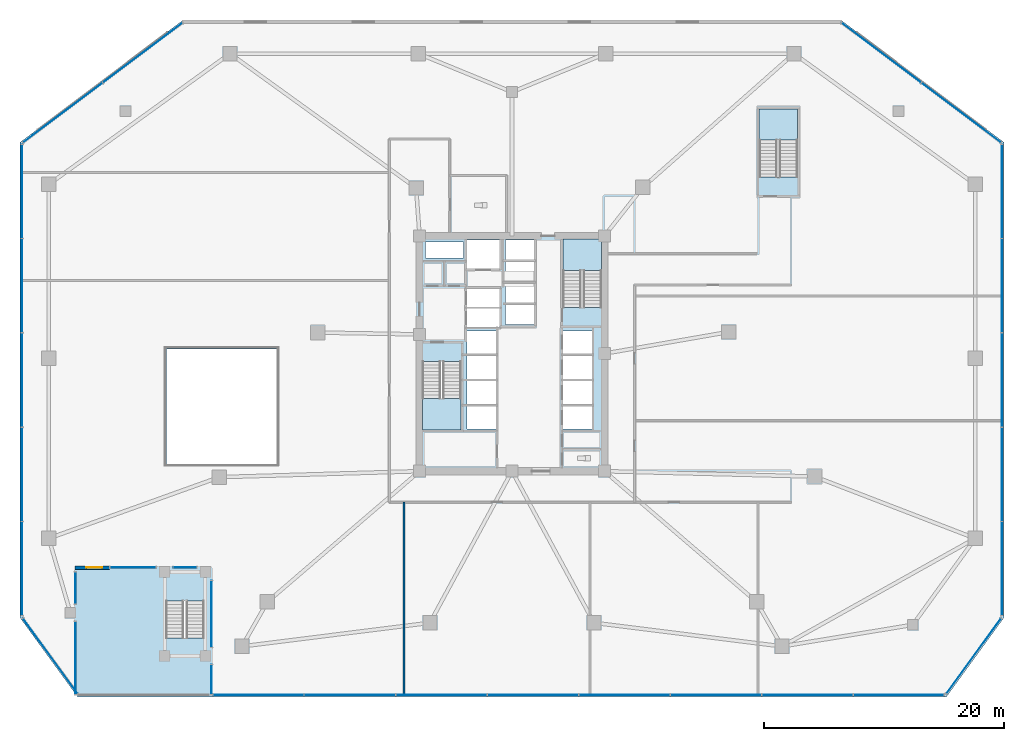
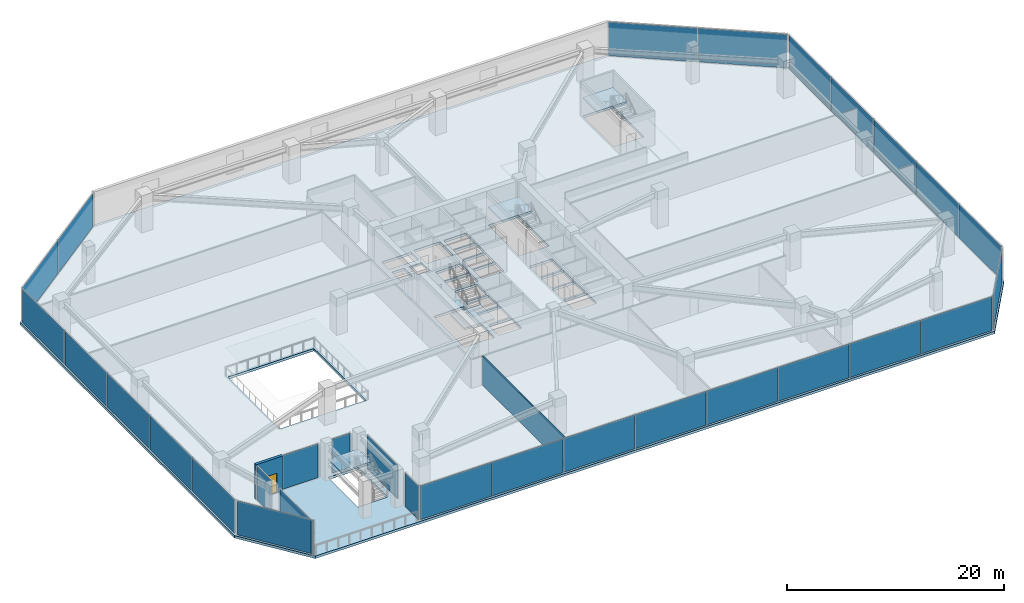
# One storey, part 10 of 22: 30 plates, 5 slabs, 2 walls, 1 door, 1 opening, 17 elements without a shape of their own.
"""IFC4 building model written with IfcOpenShell, lengths in metres."""

from ifc_helpers import new_model, si_unit, direction, frame, frame_2d, origin, origin_2d, place, context, subcontext, project, spatial, polyline, rectangle, outline, extrude, material, layer, layer_set, type_object, element, fill, aggregate, save


model = new_model("IFC4")

# Units and contexts
model_context = context("Model", 3, precision=1e-05, world=origin(), true_north=direction((0.0, 1.0)))
body_context = subcontext(model_context, "Body", "Model", "MODEL_VIEW")
ifc_project = project(units=[si_unit("LENGTHUNIT", "METRE"), si_unit("AREAUNIT", "SQUARE_METRE"), si_unit("VOLUMEUNIT", "CUBIC_METRE"), si_unit("PLANEANGLEUNIT", "RADIAN"), si_unit("MASSUNIT", "GRAM", prefix="KILO")], contexts=[model_context])

# Site, building, storey
site_placement = place(None, origin())
site = spatial("IfcSite", under=ifc_project, at=site_placement, CompositionType="ELEMENT")
building_placement = place(site_placement, origin())
building = spatial("IfcBuilding", under=site, at=building_placement, Name="Savorim Split Tower", CompositionType="ELEMENT")
storey_placement = place(building_placement, frame((0.0, 0.0, 13.39990234375)))
storey = spatial("IfcBuildingStorey", under=building, at=storey_placement, Name="L03", CompositionType="ELEMENT", Elevation=13.39990234375)

# Curtain wall, plate
ifc_material_1 = material(Name="Dark Ceramic-Fritted Insulated Glass", Category="glass")
curtain_wall_type = type_object("IfcCurtainWallType", Name="CW-POD-GLZ", PredefinedType="NOTDEFINED", material=ifc_material_1)
curtain_wall_1_placement = place(storey_placement, origin())
curtain_wall_1 = element("IfcCurtainWall", 1, at=curtain_wall_1_placement, inside=storey, type_object=curtain_wall_type, Name="L03 Curtain Wall CW-L03-E01S1", PredefinedType="NOTDEFINED")
ifc_material_2 = material(Name="Low-E Operable Double Glazing", Category="glass")
ifc_layer_1 = layer(ifc_material_2, 0.031982421875)
ifc_layer_set_1 = layer_set([ifc_layer_1], Name="CWP-POD-32")
plate_type = type_object("IfcPlateType", Name="CWP-POD-32", PredefinedType="CURTAIN_PANEL", material=ifc_layer_set_1)
plate_1_placement = place(storey_placement, frame((-36.360107421875, -24.965087890625, 0.06005859375), z_axis=(0.0, 0.0, 1.0), x_axis=(0.0, 1.0, 0.0)))
plate_1 = element("IfcPlate", 2, at=plate_1_placement, type_object=plate_type, Name="CW-01 panel 1.1", PredefinedType="CURTAIN_PANEL", context=body_context, shape_type="SweptSolid", body=[
    extrude(rectangle(XDim=6.050048828125, YDim=0.031982421875, at=origin_2d()), origin(), (0.0, 0.0, 1.0), 3.800048828125),
])
aggregate(curtain_wall_1, [plate_1])

curtain_wall_2_placement = place(storey_placement, origin())
curtain_wall_2 = element("IfcCurtainWall", 3, at=curtain_wall_2_placement, inside=storey, type_object=curtain_wall_type, Name="L03 Curtain Wall CW-L03-E01S2", PredefinedType="NOTDEFINED")
plate_2_placement = place(storey_placement, frame((-36.360107421875, -19.135009765625, 0.06005859375), z_axis=(0.0, 0.0, 1.0), x_axis=(0.0, 1.0, 0.0)))
plate_2 = element("IfcPlate", 4, at=plate_2_placement, type_object=plate_type, Name="CW-01 panel 1.1", PredefinedType="CURTAIN_PANEL", context=body_context, shape_type="SweptSolid", body=[
    extrude(rectangle(XDim=2.64990234375, YDim=0.031982421875, at=origin_2d()), origin(), (0.0, 0.0, 1.0), 3.800048828125),
])
aggregate(curtain_wall_2, [plate_2])

curtain_wall_3_placement = place(storey_placement, origin())
curtain_wall_3 = element("IfcCurtainWall", 5, at=curtain_wall_3_placement, inside=storey, type_object=curtain_wall_type, Name="L03 Curtain Wall CW-L03-E02S1", PredefinedType="NOTDEFINED")
plate_3_placement = place(storey_placement, frame((-31.590087890625, -17.43994140625, 0.06005859375), z_axis=(0.0, 0.0, 1.0), x_axis=(1.0, 0.0, 0.0)))
plate_3 = element("IfcPlate", 6, at=plate_3_placement, type_object=plate_type, Name="CW-01 panel 1.1", PredefinedType="CURTAIN_PANEL", context=body_context, shape_type="SweptSolid", body=[
    extrude(rectangle(XDim=3.800048828125, YDim=0.031982421875, at=origin_2d()), origin(), (0.0, 0.0, 1.0), 3.800048828125),
])
aggregate(curtain_wall_3, [plate_3])

curtain_wall_4_placement = place(storey_placement, origin())
curtain_wall_4 = element("IfcCurtainWall", 7, at=curtain_wall_4_placement, inside=storey, type_object=curtain_wall_type, Name="L03 Curtain Wall CW-L03-E02S2", PredefinedType="NOTDEFINED")
plate_4_placement = place(storey_placement, frame((-27.25, -17.43994140625, 0.06005859375), z_axis=(0.0, 0.0, 1.0), x_axis=(1.0, 0.0, 0.0)))
plate_4 = element("IfcPlate", 8, at=plate_4_placement, type_object=plate_type, Name="CW-01 panel 1.1", PredefinedType="CURTAIN_PANEL", context=body_context, shape_type="SweptSolid", body=[
    extrude(rectangle(XDim=1.919921875, YDim=0.031982421875, at=origin_2d()), origin(), (0.0, 0.0, 1.0), 3.800048828125),
])
aggregate(curtain_wall_4, [plate_4])

curtain_wall_5_placement = place(storey_placement, origin())
curtain_wall_5 = element("IfcCurtainWall", 9, at=curtain_wall_5_placement, inside=storey, type_object=curtain_wall_type, Name="L03 Curtain Wall CW-L03-E03S1", PredefinedType="NOTDEFINED")
plate_5_placement = place(storey_placement, frame((-25.0400390625, -21.300048828125, 0.06005859375), z_axis=(0.0, 0.0, 1.0), x_axis=(0.0, -1.0, 0.0)))
plate_5 = element("IfcPlate", 10, at=plate_5_placement, type_object=plate_type, Name="CW-01 panel 1.1", PredefinedType="CURTAIN_PANEL", context=body_context, shape_type="SweptSolid", body=[
    extrude(rectangle(XDim=5.52001953125, YDim=0.031982421875, at=origin_2d()), origin(), (0.0, 0.0, 1.0), 3.800048828125),
])
aggregate(curtain_wall_5, [plate_5])

curtain_wall_6_placement = place(storey_placement, origin())
curtain_wall_6 = element("IfcCurtainWall", 11, at=curtain_wall_6_placement, inside=storey, type_object=curtain_wall_type, Name="L03 Curtain Wall CW-L03-E03S2", PredefinedType="NOTDEFINED")
plate_6_placement = place(storey_placement, frame((-25.0400390625, -26.764892578125, 0.06005859375), z_axis=(0.0, 0.0, 1.0), x_axis=(0.0, -1.0, 0.0)))
plate_6 = element("IfcPlate", 12, at=plate_6_placement, type_object=plate_type, Name="CW-01 panel 1.1", PredefinedType="CURTAIN_PANEL", context=body_context, shape_type="SweptSolid", body=[
    extrude(rectangle(XDim=2.449951171875, YDim=0.031982421875, at=origin_2d()), origin(), (0.0, 0.0, 1.0), 3.800048828125),
])
aggregate(curtain_wall_6, [plate_6])

# Curtain wall, plates
curtain_wall_7_placement = place(storey_placement, origin())
curtain_wall_7 = element("IfcCurtainWall", 13, at=curtain_wall_7_placement, inside=storey, type_object=curtain_wall_type, Name="L03 Curtain Wall CW-L03-E04", PredefinedType="NOTDEFINED")
plate_7_placement = place(storey_placement, frame((-21.1240234375, -28.0400390625, 0.06005859375), z_axis=(0.0, 0.0, 1.0), x_axis=(1.0, 0.0, 0.0)))
plate_7 = element("IfcPlate", 14, at=plate_7_placement, type_object=plate_type, Name="CW-01 panel 1.1", PredefinedType="CURTAIN_PANEL", context=body_context, shape_type="SweptSolid", body=[
    extrude(rectangle(XDim=7.52197265625, YDim=0.031982421875, at=origin_2d()), origin(), (0.0, 0.0, 1.0), 3.800048828125),
])
plate_8_placement = place(storey_placement, frame((-13.5146484375, -28.0400390625, 0.06005859375), z_axis=(0.0, 0.0, 1.0), x_axis=(1.0, 0.0, 0.0)))
plate_8 = element("IfcPlate", 15, at=plate_8_placement, type_object=plate_type, Name="CW-01 panel 2.1", PredefinedType="CURTAIN_PANEL", context=body_context, shape_type="SweptSolid", body=[
    extrude(rectangle(XDim=7.556884765625, YDim=0.031982421875, at=origin_2d()), origin(), (0.0, 0.0, 1.0), 3.800048828125),
])
plate_9_placement = place(storey_placement, frame((-5.8876953125, -28.0400390625, 0.06005859375), z_axis=(0.0, 0.0, 1.0), x_axis=(1.0, 0.0, 0.0)))
plate_9 = element("IfcPlate", 16, at=plate_9_placement, type_object=plate_type, Name="CW-01 panel 3.1", PredefinedType="CURTAIN_PANEL", context=body_context, shape_type="SweptSolid", body=[
    extrude(rectangle(XDim=7.556884765625, YDim=0.031982421875, at=origin_2d()), origin(), (0.0, 0.0, 1.0), 3.800048828125),
])
plate_10_placement = place(storey_placement, frame((1.739013671875, -28.0400390625, 0.06005859375), z_axis=(0.0, 0.0, 1.0), x_axis=(1.0, 0.0, 0.0)))
plate_10 = element("IfcPlate", 17, at=plate_10_placement, type_object=plate_type, Name="CW-01 panel 4.1", PredefinedType="CURTAIN_PANEL", context=body_context, shape_type="SweptSolid", body=[
    extrude(rectangle(XDim=7.556884765625, YDim=0.031982421875, at=origin_2d()), origin(), (0.0, 0.0, 1.0), 3.800048828125),
])
plate_11_placement = place(storey_placement, frame((9.365966796875, -28.0400390625, 0.06005859375), z_axis=(0.0, 0.0, 1.0), x_axis=(1.0, 0.0, 0.0)))
plate_11 = element("IfcPlate", 18, at=plate_11_placement, type_object=plate_type, Name="CW-01 panel 5.1", PredefinedType="CURTAIN_PANEL", context=body_context, shape_type="SweptSolid", body=[
    extrude(rectangle(XDim=7.556884765625, YDim=0.031982421875, at=origin_2d()), origin(), (0.0, 0.0, 1.0), 3.800048828125),
])
plate_12_placement = place(storey_placement, frame((16.992919921875, -28.0400390625, 0.06005859375), z_axis=(0.0, 0.0, 1.0), x_axis=(1.0, 0.0, 0.0)))
plate_12 = element("IfcPlate", 19, at=plate_12_placement, type_object=plate_type, Name="CW-01 panel 6.1", PredefinedType="CURTAIN_PANEL", context=body_context, shape_type="SweptSolid", body=[
    extrude(rectangle(XDim=7.556884765625, YDim=0.031982421875, at=origin_2d()), origin(), (0.0, 0.0, 1.0), 3.800048828125),
])
plate_13_placement = place(storey_placement, frame((24.61962890625, -28.0400390625, 0.06005859375), z_axis=(0.0, 0.0, 1.0), x_axis=(1.0, 0.0, 0.0)))
plate_13 = element("IfcPlate", 20, at=plate_13_placement, type_object=plate_type, Name="CW-01 panel 7.1", PredefinedType="CURTAIN_PANEL", context=body_context, shape_type="SweptSolid", body=[
    extrude(rectangle(XDim=7.556884765625, YDim=0.031982421875, at=origin_2d()), origin(), (0.0, 0.0, 1.0), 3.800048828125),
])
plate_14_placement = place(storey_placement, frame((32.22900390625, -28.0400390625, 0.06005859375), z_axis=(0.0, 0.0, 1.0), x_axis=(1.0, 0.0, 0.0)))
plate_14 = element("IfcPlate", 21, at=plate_14_placement, type_object=plate_type, Name="CW-01 panel 8.1", PredefinedType="CURTAIN_PANEL", context=body_context, shape_type="SweptSolid", body=[
    extrude(rectangle(XDim=7.52197265625, YDim=0.031982421875, at=origin_2d()), origin(), (0.0, 0.0, 1.0), 3.800048828125),
])
aggregate(curtain_wall_7, [plate_7, plate_8, plate_9, plate_10, plate_11, plate_12, plate_13, plate_14])

# Curtain wall, plate
curtain_wall_8_placement = place(storey_placement, origin())
curtain_wall_8 = element("IfcCurtainWall", 22, at=curtain_wall_8_placement, inside=storey, type_object=curtain_wall_type, Name="L03 Curtain Wall CW-L03-E05", PredefinedType="NOTDEFINED")
plate_15_placement = place(storey_placement, frame((38.470703125, -24.805908203125, 0.06005859375), z_axis=(0.0, 0.0, 1.0), x_axis=(0.588176224478, 0.808732792063, 0.0)))
plate_15 = element("IfcPlate", 23, at=plate_15_placement, type_object=plate_type, Name="CW-01 panel 1.1", PredefinedType="CURTAIN_PANEL", context=body_context, shape_type="SweptSolid", body=[
    extrude(rectangle(XDim=7.740966796875, YDim=0.031982421875, at=origin_2d()), origin(), (0.0, 0.0, 1.0), 3.800048828125),
])
aggregate(curtain_wall_8, [plate_15])

# Curtain wall, plates
curtain_wall_9_placement = place(storey_placement, origin())
curtain_wall_9 = element("IfcCurtainWall", 24, at=curtain_wall_9_placement, inside=storey, type_object=curtain_wall_type, Name="L03 Curtain Wall CW-L03-E06", PredefinedType="NOTDEFINED")
plate_16_placement = place(storey_placement, frame((40.840087890625, -17.510498046875, 0.06005859375), z_axis=(0.0, 0.0, 1.0), x_axis=(0.0, 1.0, 0.0)))
plate_16 = element("IfcPlate", 25, at=plate_16_placement, type_object=plate_type, Name="CW-01 panel 1.1", PredefinedType="CURTAIN_PANEL", context=body_context, shape_type="SweptSolid", body=[
    extrude(rectangle(XDim=7.759033203125, YDim=0.031982421875, at=origin_2d()), origin(), (0.0, 0.0, 1.0), 3.800048828125),
])
plate_17_placement = place(storey_placement, frame((40.840087890625, -9.6640625, 0.06005859375), z_axis=(0.0, 0.0, 1.0), x_axis=(0.0, 1.0, 0.0)))
plate_17 = element("IfcPlate", 26, at=plate_17_placement, type_object=plate_type, Name="CW-01 panel 2.1", PredefinedType="CURTAIN_PANEL", context=body_context, shape_type="SweptSolid", body=[
    extrude(rectangle(XDim=7.7939453125, YDim=0.031982421875, at=origin_2d()), origin(), (0.0, 0.0, 1.0), 3.800048828125),
])
plate_18_placement = place(storey_placement, frame((40.840087890625, -1.800048828125, 0.06005859375), z_axis=(0.0, 0.0, 1.0), x_axis=(0.0, 1.0, 0.0)))
plate_18 = element("IfcPlate", 27, at=plate_18_placement, type_object=plate_type, Name="CW-01 panel 3.1", PredefinedType="CURTAIN_PANEL", context=body_context, shape_type="SweptSolid", body=[
    extrude(rectangle(XDim=7.7939453125, YDim=0.031982421875, at=origin_2d()), origin(), (0.0, 0.0, 1.0), 3.800048828125),
])
plate_19_placement = place(storey_placement, frame((40.840087890625, 6.06396484375, 0.06005859375), z_axis=(0.0, 0.0, 1.0), x_axis=(0.0, 1.0, 0.0)))
plate_19 = element("IfcPlate", 28, at=plate_19_placement, type_object=plate_type, Name="CW-01 panel 4.1", PredefinedType="CURTAIN_PANEL", context=body_context, shape_type="SweptSolid", body=[
    extrude(rectangle(XDim=7.7939453125, YDim=0.031982421875, at=origin_2d()), origin(), (0.0, 0.0, 1.0), 3.800048828125),
])
plate_20_placement = place(storey_placement, frame((40.840087890625, 13.910400390625, 0.06005859375), z_axis=(0.0, 0.0, 1.0), x_axis=(0.0, 1.0, 0.0)))
plate_20 = element("IfcPlate", 29, at=plate_20_placement, type_object=plate_type, Name="CW-01 panel 5.1", PredefinedType="CURTAIN_PANEL", context=body_context, shape_type="SweptSolid", body=[
    extrude(rectangle(XDim=7.759033203125, YDim=0.031982421875, at=origin_2d()), origin(), (0.0, 0.0, 1.0), 3.800048828125),
])
aggregate(curtain_wall_9, [plate_16, plate_17, plate_18, plate_19, plate_20])

curtain_wall_10_placement = place(storey_placement, origin())
curtain_wall_10 = element("IfcCurtainWall", 30, at=curtain_wall_10_placement, inside=storey, type_object=curtain_wall_type, Name="L03 Curtain Wall CW-L03-E07", PredefinedType="NOTDEFINED")
plate_21_placement = place(storey_placement, frame((37.43408203125, 20.474609375, 0.06005859375), z_axis=(0.0, 0.0, 1.0), x_axis=(-0.799999999998, 0.600000000002, 0.0)))
plate_21 = element("IfcPlate", 31, at=plate_21_placement, type_object=plate_type, Name="CW-01 panel 1.1", PredefinedType="CURTAIN_PANEL", context=body_context, shape_type="SweptSolid", body=[
    extrude(rectangle(XDim=8.2548828125, YDim=0.031982421875, at=origin_2d()), origin(), (0.0, 0.0, 1.0), 3.800048828125),
])
plate_22_placement = place(storey_placement, frame((30.77392578125, 25.469482421875, 0.06005859375), z_axis=(0.0, 0.0, 1.0), x_axis=(-0.799999999998, 0.600000000002, 0.0)))
plate_22 = element("IfcPlate", 32, at=plate_22_placement, type_object=plate_type, Name="CW-01 panel 2.1", PredefinedType="CURTAIN_PANEL", context=body_context, shape_type="SweptSolid", body=[
    extrude(rectangle(XDim=8.2548828125, YDim=0.031982421875, at=origin_2d()), origin(), (0.0, 0.0, 1.0), 3.800048828125),
])
aggregate(curtain_wall_10, [plate_21, plate_22])

curtain_wall_11_placement = place(storey_placement, origin())
curtain_wall_11 = element("IfcCurtainWall", 33, at=curtain_wall_11_placement, inside=storey, type_object=curtain_wall_type, Name="L03 Curtain Wall CW-L03-E09", PredefinedType="NOTDEFINED")
plate_23_placement = place(storey_placement, frame((-30.77392578125, 25.469482421875, 0.06005859375), z_axis=(0.0, 0.0, 1.0), x_axis=(-0.799999999998, -0.600000000002, 0.0)))
plate_23 = element("IfcPlate", 34, at=plate_23_placement, type_object=plate_type, Name="CW-01 panel 1.1", PredefinedType="CURTAIN_PANEL", context=body_context, shape_type="SweptSolid", body=[
    extrude(rectangle(XDim=8.2548828125, YDim=0.031982421875, at=origin_2d()), origin(), (0.0, 0.0, 1.0), 3.800048828125),
])
plate_24_placement = place(storey_placement, frame((-37.43408203125, 20.474609375, 0.06005859375), z_axis=(0.0, 0.0, 1.0), x_axis=(-0.799999999998, -0.600000000002, 0.0)))
plate_24 = element("IfcPlate", 35, at=plate_24_placement, type_object=plate_type, Name="CW-01 panel 2.1", PredefinedType="CURTAIN_PANEL", context=body_context, shape_type="SweptSolid", body=[
    extrude(rectangle(XDim=8.2548828125, YDim=0.031982421875, at=origin_2d()), origin(), (0.0, 0.0, 1.0), 3.800048828125),
])
aggregate(curtain_wall_11, [plate_23, plate_24])

curtain_wall_12_placement = place(storey_placement, origin())
curtain_wall_12 = element("IfcCurtainWall", 36, at=curtain_wall_12_placement, inside=storey, type_object=curtain_wall_type, Name="L03 Curtain Wall CW-L03-E10", PredefinedType="NOTDEFINED")
plate_25_placement = place(storey_placement, frame((-40.840087890625, 13.910400390625, 0.06005859375), z_axis=(0.0, 0.0, 1.0), x_axis=(0.0, -1.0, 0.0)))
plate_25 = element("IfcPlate", 37, at=plate_25_placement, type_object=plate_type, Name="CW-01 panel 1.1", PredefinedType="CURTAIN_PANEL", context=body_context, shape_type="SweptSolid", body=[
    extrude(rectangle(XDim=7.759033203125, YDim=0.031982421875, at=origin_2d()), origin(), (0.0, 0.0, 1.0), 3.800048828125),
])
plate_26_placement = place(storey_placement, frame((-40.840087890625, 6.06396484375, 0.06005859375), z_axis=(0.0, 0.0, 1.0), x_axis=(0.0, -1.0, 0.0)))
plate_26 = element("IfcPlate", 38, at=plate_26_placement, type_object=plate_type, Name="CW-01 panel 2.1", PredefinedType="CURTAIN_PANEL", context=body_context, shape_type="SweptSolid", body=[
    extrude(rectangle(XDim=7.7939453125, YDim=0.031982421875, at=origin_2d()), origin(), (0.0, 0.0, 1.0), 3.800048828125),
])
plate_27_placement = place(storey_placement, frame((-40.840087890625, -1.800048828125, 0.06005859375), z_axis=(0.0, 0.0, 1.0), x_axis=(0.0, -1.0, 0.0)))
plate_27 = element("IfcPlate", 39, at=plate_27_placement, type_object=plate_type, Name="CW-01 panel 3.1", PredefinedType="CURTAIN_PANEL", context=body_context, shape_type="SweptSolid", body=[
    extrude(rectangle(XDim=7.7939453125, YDim=0.031982421875, at=origin_2d()), origin(), (0.0, 0.0, 1.0), 3.800048828125),
])
plate_28_placement = place(storey_placement, frame((-40.840087890625, -9.6640625, 0.06005859375), z_axis=(0.0, 0.0, 1.0), x_axis=(0.0, -1.0, 0.0)))
plate_28 = element("IfcPlate", 40, at=plate_28_placement, type_object=plate_type, Name="CW-01 panel 4.1", PredefinedType="CURTAIN_PANEL", context=body_context, shape_type="SweptSolid", body=[
    extrude(rectangle(XDim=7.7939453125, YDim=0.031982421875, at=origin_2d()), origin(), (0.0, 0.0, 1.0), 3.800048828125),
])
plate_29_placement = place(storey_placement, frame((-40.840087890625, -17.510498046875, 0.06005859375), z_axis=(0.0, 0.0, 1.0), x_axis=(0.0, -1.0, 0.0)))
plate_29 = element("IfcPlate", 41, at=plate_29_placement, type_object=plate_type, Name="CW-01 panel 5.1", PredefinedType="CURTAIN_PANEL", context=body_context, shape_type="SweptSolid", body=[
    extrude(rectangle(XDim=7.759033203125, YDim=0.031982421875, at=origin_2d()), origin(), (0.0, 0.0, 1.0), 3.800048828125),
])
aggregate(curtain_wall_12, [plate_25, plate_26, plate_27, plate_28, plate_29])

# Curtain wall, plate
curtain_wall_13_placement = place(storey_placement, origin())
curtain_wall_13 = element("IfcCurtainWall", 42, at=curtain_wall_13_placement, inside=storey, type_object=curtain_wall_type, Name="L03 Curtain Wall CW-L03-E11", PredefinedType="NOTDEFINED")
plate_30_placement = place(storey_placement, frame((-38.470703125, -24.805908203125, 0.06005859375), z_axis=(0.0, 0.0, 1.0), x_axis=(0.588176224478, -0.808732792063, 0.0)))
plate_30 = element("IfcPlate", 43, at=plate_30_placement, type_object=plate_type, Name="CW-01 panel 1.1", PredefinedType="CURTAIN_PANEL", context=body_context, shape_type="SweptSolid", body=[
    extrude(rectangle(XDim=7.740966796875, YDim=0.031982421875, at=origin_2d()), origin(), (0.0, 0.0, 1.0), 3.800048828125),
])
aggregate(curtain_wall_13, [plate_30])

# Stair, slab
ifc_material_3 = material(Name="Concrete C50/60", Category="concrete")
stair_type = type_object("IfcStairType", Name="STR-DOG-4200", PredefinedType="HALF_TURN_STAIR", material=ifc_material_3)
stair_1_placement = place(storey_placement, origin())
stair_1 = element("IfcStair", 44, at=stair_1_placement, inside=storey, type_object=stair_type, Name="L03 Core Protected Exit Stair ST-1", PredefinedType="HALF_TURN_STAIR")
ifc_layer_2 = layer(ifc_material_3, 0.199951171875)
ifc_layer_set_2 = layer_set([ifc_layer_2], Name="SLB-LND-200")
slab_type_1 = type_object("IfcSlabType", Name="SLB-LND-200", PredefinedType="LANDING", material=ifc_layer_set_2)
slab_1_placement = place(storey_placement, frame((0.0, 0.0, 1.900146484375)))
slab_1 = element("IfcSlab", 45, at=slab_1_placement, type_object=slab_type_1, Name="ST-1 landing 1", PredefinedType="LANDING", context=body_context, shape_type="SweptSolid", body=[
    extrude(outline(polyline([(-7.449951171875, -3.330078125), (-7.449951171875, -5.949951171875), (-4.25, -5.949951171875), (-4.25, -3.330078125), (-7.449951171875, -3.330078125)])), origin(), (0.0, 0.0, 1.0), 0.199951171875),
])
aggregate(stair_1, [slab_1])

stair_2_placement = place(storey_placement, origin())
stair_2 = element("IfcStair", 46, at=stair_2_placement, inside=storey, type_object=stair_type, Name="L03 Core Protected Exit Stair ST-2", PredefinedType="HALF_TURN_STAIR")
slab_2_placement = place(storey_placement, frame((0.0, 0.0, 1.900146484375)))
slab_2 = element("IfcSlab", 47, at=slab_2_placement, type_object=slab_type_1, Name="ST-2 landing 1", PredefinedType="LANDING", context=body_context, shape_type="SweptSolid", body=[
    extrude(outline(polyline([(7.449951171875, 7.330078125), (7.449951171875, 9.949951171875), (4.25, 9.949951171875), (4.25, 7.330078125), (7.449951171875, 7.330078125)])), origin(), (0.0, 0.0, 1.0), 0.199951171875),
])
aggregate(stair_2, [slab_2])

stair_3_placement = place(storey_placement, origin())
stair_3 = element("IfcStair", 48, at=stair_3_placement, inside=storey, type_object=stair_type, Name="L03 Podium Protected Garden Exit Stair ST-3", PredefinedType="HALF_TURN_STAIR")
slab_3_placement = place(storey_placement, frame((0.0, 0.0, 1.900146484375)))
slab_3 = element("IfcSlab", 49, at=slab_3_placement, type_object=slab_type_1, Name="ST-3 landing 1", PredefinedType="LANDING", context=body_context, shape_type="SweptSolid", body=[
    extrude(outline(polyline([(23.800048828125, 18.179931640625), (23.800048828125, 20.800048828125), (20.60009765625, 20.800048828125), (20.60009765625, 18.179931640625), (23.800048828125, 18.179931640625)])), origin(), (0.0, 0.0, 1.0), 0.199951171875),
])
aggregate(stair_3, [slab_3])

stair_4_placement = place(storey_placement, origin())
stair_4 = element("IfcStair", 50, at=stair_4_placement, inside=storey, type_object=stair_type, Name="L03 Exterior Stepped Public Garden Stair ST-GDN", PredefinedType="HALF_TURN_STAIR")
slab_4_placement = place(storey_placement, frame((0.0, 0.0, 1.900146484375)))
slab_4 = element("IfcSlab", 51, at=slab_4_placement, type_object=slab_type_1, Name="ST-GDN landing 1", PredefinedType="LANDING", context=body_context, shape_type="SweptSolid", body=[
    extrude(outline(polyline([(-25.64990234375, -20.219970703125), (-25.64990234375, -17.800048828125), (-28.85009765625, -17.800048828125), (-28.85009765625, -20.219970703125), (-25.64990234375, -20.219970703125)])), origin(), (0.0, 0.0, 1.0), 0.199951171875),
])
aggregate(stair_4, [slab_4])

# Slab
ifc_layer_3 = layer(ifc_material_3, 0.280029296875)
ifc_layer_set_3 = layer_set([ifc_layer_3], Name="SLB-POD-280")
slab_type_2 = type_object("IfcSlabType", Name="SLB-POD-280", PredefinedType="FLOOR", material=ifc_layer_set_3)
slab_5_placement = place(storey_placement, frame((0.0, 0.0, -0.27978515625)))
element("IfcSlab", 52, at=slab_5_placement, inside=storey, type_object=slab_type_2, Name="L03 Podium Structural Floor Slab", PredefinedType="FLOOR", context=body_context, shape_type="SweptSolid", body=[
    extrude(outline(polyline([(-36.199951171875, -28.199951171875), (36.199951171875, -28.199951171875), (41.0, -21.60009765625), (41.0, 18.0), (27.39990234375, 28.199951171875), (-27.39990234375, 28.199951171875), (-41.0, 18.0), (-41.0, -21.60009765625), (-36.199951171875, -28.199951171875)]), holes=[polyline([(-7.449951171875, -0.25390625), (-7.449951171875, -5.949951171875), (-4.25, -5.949951171875), (-4.25, -0.25390625), (-7.449951171875, -0.25390625)]), polyline([(7.449951171875, 4.25390625), (7.449951171875, 9.949951171875), (4.25, 9.949951171875), (4.25, 4.25390625), (7.449951171875, 4.25390625)]), polyline([(23.800048828125, 15.10400390625), (23.800048828125, 20.800048828125), (20.60009765625, 20.800048828125), (20.60009765625, 15.10400390625), (23.800048828125, 15.10400390625)]), polyline([(-25.64990234375, -23.2958984375), (-25.64990234375, -17.800048828125), (-28.85009765625, -17.800048828125), (-28.85009765625, -23.2958984375), (-25.64990234375, -23.2958984375)]), polyline([(4.25, -5.89990234375), (6.64990234375, -5.89990234375), (6.64990234375, -4.0), (4.25, -4.0), (4.25, -5.89990234375)]), polyline([(4.25, -3.800048828125), (6.64990234375, -3.800048828125), (6.64990234375, -1.89990234375), (4.25, -1.89990234375), (4.25, -3.800048828125)]), polyline([(4.25, -1.699951171875), (6.64990234375, -1.699951171875), (6.64990234375, 0.199951171875), (4.25, 0.199951171875), (4.25, -1.699951171875)]), polyline([(4.25, 0.39990234375), (6.64990234375, 0.39990234375), (6.64990234375, 2.300048828125), (4.25, 2.300048828125), (4.25, 0.39990234375)]), polyline([(-3.75, -5.89990234375), (-1.35009765625, -5.89990234375), (-1.35009765625, -4.0), (-3.75, -4.0), (-3.75, -5.89990234375)]), polyline([(-3.75, -3.800048828125), (-1.35009765625, -3.800048828125), (-1.35009765625, -1.89990234375), (-3.75, -1.89990234375), (-3.75, -3.800048828125)]), polyline([(-3.75, -1.699951171875), (-1.35009765625, -1.699951171875), (-1.35009765625, 0.199951171875), (-3.75, 0.199951171875), (-3.75, -1.699951171875)]), polyline([(-3.75, 0.39990234375), (-1.35009765625, 0.39990234375), (-1.35009765625, 2.300048828125), (-3.75, 2.300048828125), (-3.75, 0.39990234375)]), polyline([(-0.550048828125, 2.830078125), (1.85009765625, 2.830078125), (1.85009765625, 4.469970703125), (-0.550048828125, 4.469970703125), (-0.550048828125, 2.830078125)]), polyline([(-0.550048828125, 4.6298828125), (1.85009765625, 4.6298828125), (1.85009765625, 6.27001953125), (-0.550048828125, 6.27001953125), (-0.550048828125, 4.6298828125)]), polyline([(-0.550048828125, 6.429931640625), (1.85009765625, 6.429931640625), (1.85009765625, 8.070068359375), (-0.550048828125, 8.070068359375), (-0.550048828125, 6.429931640625)]), polyline([(-0.550048828125, 8.22998046875), (1.85009765625, 8.22998046875), (1.85009765625, 9.8701171875), (-0.550048828125, 9.8701171875), (-0.550048828125, 8.22998046875)]), polyline([(-3.75, 2.60009765625), (-1.050048828125, 2.60009765625), (-1.050048828125, 4.159912109375), (-3.75, 4.159912109375), (-3.75, 2.60009765625)]), polyline([(-3.75, 4.280029296875), (-1.050048828125, 4.280029296875), (-1.050048828125, 5.840087890625), (-3.75, 5.840087890625), (-3.75, 4.280029296875)]), polyline([(-3.75, 7.449951171875), (-0.949951171875, 7.449951171875), (-0.949951171875, 9.85009765625), (-3.75, 9.85009765625), (-3.75, 7.449951171875)]), polyline([(-7.219970703125, 6.320068359375), (-5.919921875, 6.320068359375), (-5.919921875, 7.820068359375), (-7.219970703125, 7.820068359375), (-7.219970703125, 6.320068359375)]), polyline([(-5.3798828125, 6.320068359375), (-4.050048828125, 6.320068359375), (-4.050048828125, 7.820068359375), (-5.3798828125, 7.820068359375), (-5.3798828125, 6.320068359375)]), polyline([(-7.219970703125, 8.360107421875), (-4.050048828125, 8.360107421875), (-4.050048828125, 9.719970703125), (-7.219970703125, 9.719970703125), (-7.219970703125, 8.360107421875)]), polyline([(-28.800048828125, -8.800048828125), (-19.60009765625, -8.800048828125), (-19.60009765625, 0.800048828125), (-28.800048828125, 0.800048828125), (-28.800048828125, -8.800048828125)])]), origin(), (0.0, 0.0, 1.0), 0.27978515625),
])

# Wall, opening, door
ifc_layer_4 = layer(ifc_material_3, 0.300048828125)
ifc_layer_set_4 = layer_set([ifc_layer_4], Name="WAL-EXT-POD300")
wall_type_1 = type_object("IfcWallType", Name="WAL-EXT-POD300", PredefinedType="SOLIDWALL", material=ifc_layer_set_4)
wall_1_placement = place(storey_placement, frame((-33.56005859375, -17.43994140625, 0.0), z_axis=(0.0, 0.0, 1.0), x_axis=(-1.0, 0.0, 0.0)))
wall_1 = element("IfcWall", 53, at=wall_1_placement, inside=storey, type_object=wall_type_1, Name="L03 Stepped Garden Stair Court Door Pier", PredefinedType="SOLIDWALL", context=body_context, shape_type="SweptSolid", body=[
    extrude(rectangle(XDim=2.83984375, YDim=0.300048828125, at=frame_2d((1.419921875, 0.0))), origin(), (0.0, 0.0, 1.0), 3.920166015625),
])
opening_placement = place(wall_1_placement, frame((0.60009765625, 0.0, 0.0)))
opening = element("IfcOpeningElement", 54, at=opening_placement, cuts=wall_1, Name="Opening DG-01", PredefinedType="OPENING", context=body_context, shape_type="SweptSolid", body=[
    extrude(rectangle(XDim=1.300048828125, YDim=2.199951171875, at=frame_2d((0.64990234375, 1.10009765625))), frame((0.0, 0.159912109375, 0.0), z_axis=(0.0, -1.0, 0.0), x_axis=(1.0, 0.0, 0.0)), (0.0, 0.0, 1.0), 0.320068359375),
])
ifc_material_4 = material(Name="Charcoal Anodised Aluminium", Category="aluminium")
door_type = type_object("IfcDoorType", Name="DOR-GDN-1300", OperationType="NOTDEFINED", PredefinedType="DOOR", material=ifc_material_4)
door_placement = place(opening_placement, origin())
door = element("IfcDoor", 55, at=door_placement, inside=storey, type_object=door_type, Name="DOR-L03-GDNCRT - L03 Exterior Garden Stair Terrace Door", OperationType="SINGLE_SWING_RIGHT", OverallHeight=2.199951171875, OverallWidth=1.300048828125, PredefinedType="DOOR", context=body_context, shape_type="SweptSolid", body=[
    extrude(rectangle(XDim=1.300048828125, YDim=2.199951171875, at=frame_2d((0.64990234375, 1.10009765625))), frame((0.0, 0.02490234375, 0.0), z_axis=(0.0, -1.0, 0.0), x_axis=(1.0, 0.0, 0.0)), (0.0, 0.0, 1.0), 0.050048828125),
])
fill(opening, door)

# Wall
ifc_material_5 = material(Name="Acoustic Gypsum Partition Board")
ifc_layer_5 = layer(ifc_material_5, 0.14990234375)
ifc_layer_set_5 = layer_set([ifc_layer_5], Name="WAL-PAR-150")
wall_type_2 = type_object("IfcWallType", Name="WAL-PAR-150", PredefinedType="PARTITIONING", material=ifc_layer_set_5)
wall_2_placement = place(storey_placement, frame((-9.0, -28.02001953125, 0.0), z_axis=(0.0, 0.0, 1.0), x_axis=(0.0, 1.0, 0.0)))
element("IfcWall", 56, at=wall_2_placement, inside=storey, type_object=wall_type_2, Name="L03 Partition W-L03-PD1", PredefinedType="PARTITIONING", context=body_context, shape_type="SweptSolid", body=[
    extrude(rectangle(XDim=16.0400390625, YDim=0.14990234375, at=frame_2d((8.02001953125, 0.0))), origin(), (0.0, 0.0, 1.0), 3.195068359375),
])

save(model, "model.ifc")
